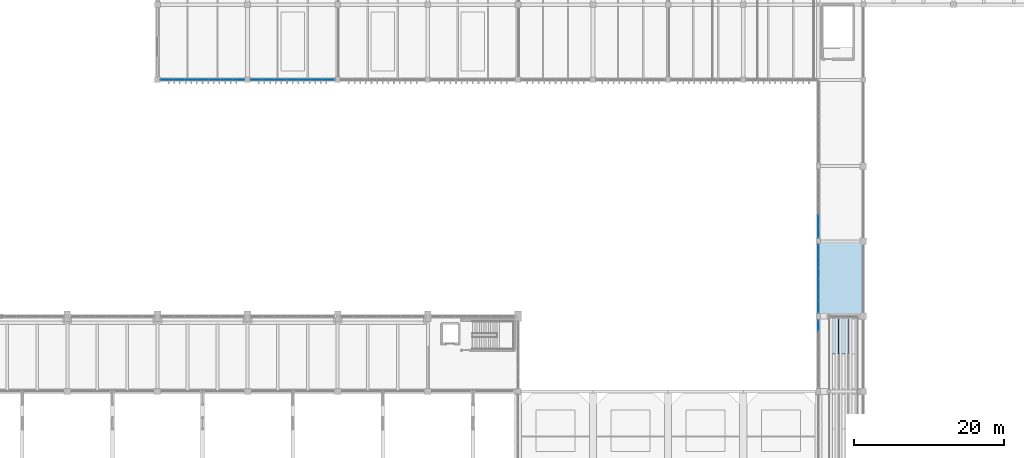
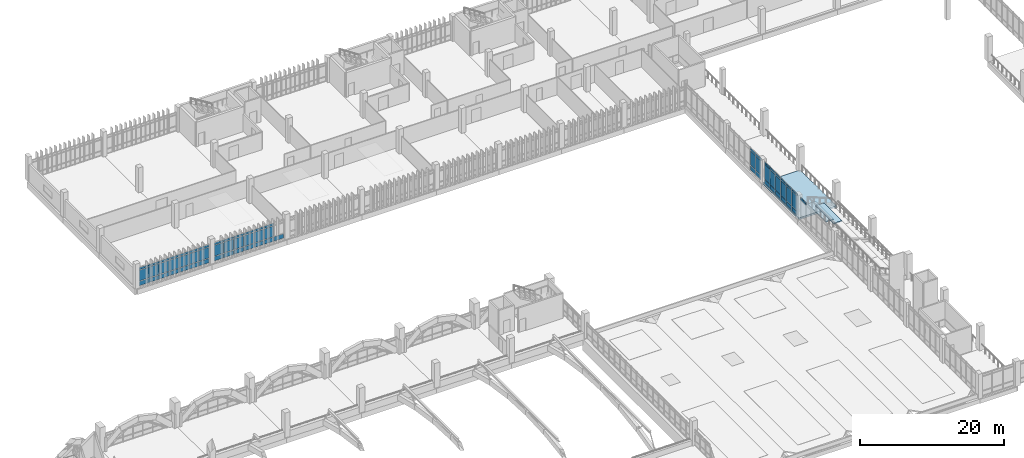
# One storey, part 130 of 161: 65 plates, 3 slabs, 5 elements without a shape of their own.
"""IFC4 building model written with IfcOpenShell, lengths in metres."""

from ifc_helpers import new_model, si_unit, direction, frame, origin, origin_2d, place, context, subcontext, project, spatial, polyline, rectangle, outline, extrude, material, layer, layer_set, type_object, element, aggregate, save


model = new_model("IFC4")

# Units and contexts
model_context = context("Model", 3, precision=1e-05, world=origin(), true_north=direction((0.0, 1.0)))
body_context = subcontext(model_context, "Body", "Model", "MODEL_VIEW")
ifc_project = project(units=[si_unit("LENGTHUNIT", "METRE"), si_unit("AREAUNIT", "SQUARE_METRE"), si_unit("VOLUMEUNIT", "CUBIC_METRE"), si_unit("PLANEANGLEUNIT", "RADIAN"), si_unit("MASSUNIT", "GRAM", prefix="KILO")], contexts=[model_context])

# Site, building, storey
site_placement = place(None, origin())
site = spatial("IfcSite", under=ifc_project, at=site_placement, CompositionType="ELEMENT")
building_placement = place(site_placement, origin())
building = spatial("IfcBuilding", under=site, at=building_placement, Name="Mersad Railyard Sports Hall", CompositionType="ELEMENT")
storey_placement = place(building_placement, frame((0.0, 0.0, 4.800048828125)))
storey = spatial("IfcBuildingStorey", under=building, at=storey_placement, Name="L01", CompositionType="ELEMENT", Elevation=4.800048828125)

# Curtain wall, plate
ifc_material_1 = material(Name="Aluminium 6063-T6", Category="aluminium")
ifc_layer_1 = layer(ifc_material_1, 0.159912109375)
ifc_layer_set_1 = layer_set([ifc_layer_1], Name="Aluminium 6063-T6")
curtain_wall_type_1 = type_object("IfcCurtainWallType", Name="ARC-CW-CW25", PredefinedType="USERDEFINED", material=ifc_layer_set_1)
curtain_wall_1_placement = place(storey_placement, origin())
curtain_wall_1 = element("IfcCurtainWall", 1, at=curtain_wall_1_placement, inside=storey, type_object=curtain_wall_type_1, Name="Curtain wall CW25-0072", ObjectType="CURTAIN WALL", PredefinedType="USERDEFINED")
ifc_material_2 = material(Name="Solar-control glass", Category="glass")
ifc_layer_2 = layer(ifc_material_2, 0.028076171875)
ifc_layer_set_2 = layer_set([ifc_layer_2], Name="Solar-control glass")
plate_type = type_object("IfcPlateType", Name="ARC-CW-PNL01", PredefinedType="CURTAIN_PANEL", material=ifc_layer_set_2)
plate_1_placement = place(storey_placement, frame((131.0, 52.27490234375, 3.4248046875), z_axis=(0.0, 0.0, 1.0), x_axis=(0.0, 1.0, 0.0)))
plate_1 = element("IfcPlate", 2, at=plate_1_placement, type_object=plate_type, Name="CW25 Glazed panel 6-3", PredefinedType="CURTAIN_PANEL", context=body_context, shape_type="SweptSolid", body=[
    extrude(rectangle(XDim=1.466064453125, YDim=0.028076171875, at=origin_2d()), origin(), (0.0, 0.0, 1.0), 0.35009765625),
])
aggregate(curtain_wall_1, [plate_1])

# Curtain wall, plates
ifc_layer_3 = layer(ifc_material_1, 0.159912109375)
ifc_layer_set_3 = layer_set([ifc_layer_3], Name="Aluminium 6063-T6")
curtain_wall_type_2 = type_object("IfcCurtainWallType", Name="ARC-CW-CW26", PredefinedType="USERDEFINED", material=ifc_layer_set_3)
curtain_wall_2_placement = place(storey_placement, origin())
curtain_wall_2 = element("IfcCurtainWall", 3, at=curtain_wall_2_placement, inside=storey, type_object=curtain_wall_type_2, Name="Curtain wall CW26-0074", ObjectType="CURTAIN WALL", PredefinedType="USERDEFINED")
plate_2_placement = place(storey_placement, frame((131.0, 54.72509765625, 0.0849609375), z_axis=(0.0, 0.0, 1.0), x_axis=(0.0, 1.0, 0.0)))
plate_2 = element("IfcPlate", 4, at=plate_2_placement, type_object=plate_type, Name="CW26 Glazed panel 1-1", PredefinedType="CURTAIN_PANEL", context=body_context, shape_type="SweptSolid", body=[
    extrude(rectangle(XDim=1.466064453125, YDim=0.028076171875, at=origin_2d()), origin(), (0.0, 0.0, 1.0), 0.719970703125),
])
plate_3_placement = place(storey_placement, frame((131.0, 54.72509765625, 0.89501953125), z_axis=(0.0, 0.0, 1.0), x_axis=(0.0, 1.0, 0.0)))
plate_3 = element("IfcPlate", 5, at=plate_3_placement, type_object=plate_type, Name="CW26 Glazed panel 1-2", PredefinedType="CURTAIN_PANEL", context=body_context, shape_type="SweptSolid", body=[
    extrude(rectangle(XDim=1.466064453125, YDim=0.028076171875, at=origin_2d()), origin(), (0.0, 0.0, 1.0), 2.469970703125),
])
plate_4_placement = place(storey_placement, frame((131.0, 54.72509765625, 3.454833984375), z_axis=(0.0, 0.0, 1.0), x_axis=(0.0, 1.0, 0.0)))
plate_4 = element("IfcPlate", 6, at=plate_4_placement, type_object=plate_type, Name="CW26 Glazed panel 1-3", PredefinedType="CURTAIN_PANEL", context=body_context, shape_type="SweptSolid", body=[
    extrude(rectangle(XDim=1.466064453125, YDim=0.028076171875, at=origin_2d()), origin(), (0.0, 0.0, 1.0), 0.35009765625),
])
plate_5_placement = place(storey_placement, frame((131.0, 56.235107421875, 0.0849609375), z_axis=(0.0, 0.0, 1.0), x_axis=(0.0, 1.0, 0.0)))
plate_5 = element("IfcPlate", 7, at=plate_5_placement, type_object=plate_type, Name="CW26 Glazed panel 2-1", PredefinedType="CURTAIN_PANEL", context=body_context, shape_type="SweptSolid", body=[
    extrude(rectangle(XDim=1.466064453125, YDim=0.028076171875, at=origin_2d()), origin(), (0.0, 0.0, 1.0), 0.719970703125),
])
plate_6_placement = place(storey_placement, frame((131.0, 56.235107421875, 0.89501953125), z_axis=(0.0, 0.0, 1.0), x_axis=(0.0, 1.0, 0.0)))
plate_6 = element("IfcPlate", 8, at=plate_6_placement, type_object=plate_type, Name="CW26 Glazed panel 2-2", PredefinedType="CURTAIN_PANEL", context=body_context, shape_type="SweptSolid", body=[
    extrude(rectangle(XDim=1.466064453125, YDim=0.028076171875, at=origin_2d()), origin(), (0.0, 0.0, 1.0), 2.469970703125),
])
plate_7_placement = place(storey_placement, frame((131.0, 56.235107421875, 3.454833984375), z_axis=(0.0, 0.0, 1.0), x_axis=(0.0, 1.0, 0.0)))
plate_7 = element("IfcPlate", 9, at=plate_7_placement, type_object=plate_type, Name="CW26 Glazed panel 2-3", PredefinedType="CURTAIN_PANEL", context=body_context, shape_type="SweptSolid", body=[
    extrude(rectangle(XDim=1.466064453125, YDim=0.028076171875, at=origin_2d()), origin(), (0.0, 0.0, 1.0), 0.35009765625),
])
plate_8_placement = place(storey_placement, frame((131.0, 57.7451171875, 0.0849609375), z_axis=(0.0, 0.0, 1.0), x_axis=(0.0, 1.0, 0.0)))
plate_8 = element("IfcPlate", 10, at=plate_8_placement, type_object=plate_type, Name="CW26 Glazed panel 3-1", PredefinedType="CURTAIN_PANEL", context=body_context, shape_type="SweptSolid", body=[
    extrude(rectangle(XDim=1.466064453125, YDim=0.028076171875, at=origin_2d()), origin(), (0.0, 0.0, 1.0), 0.719970703125),
])
plate_9_placement = place(storey_placement, frame((131.0, 57.7451171875, 0.89501953125), z_axis=(0.0, 0.0, 1.0), x_axis=(0.0, 1.0, 0.0)))
plate_9 = element("IfcPlate", 11, at=plate_9_placement, type_object=plate_type, Name="CW26 Glazed panel 3-2", PredefinedType="CURTAIN_PANEL", context=body_context, shape_type="SweptSolid", body=[
    extrude(rectangle(XDim=1.466064453125, YDim=0.028076171875, at=origin_2d()), origin(), (0.0, 0.0, 1.0), 2.469970703125),
])
plate_10_placement = place(storey_placement, frame((131.0, 57.7451171875, 3.454833984375), z_axis=(0.0, 0.0, 1.0), x_axis=(0.0, 1.0, 0.0)))
plate_10 = element("IfcPlate", 12, at=plate_10_placement, type_object=plate_type, Name="CW26 Glazed panel 3-3", PredefinedType="CURTAIN_PANEL", context=body_context, shape_type="SweptSolid", body=[
    extrude(rectangle(XDim=1.466064453125, YDim=0.028076171875, at=origin_2d()), origin(), (0.0, 0.0, 1.0), 0.35009765625),
])
plate_11_placement = place(storey_placement, frame((131.0, 59.2548828125, 0.0849609375), z_axis=(0.0, 0.0, 1.0), x_axis=(0.0, 1.0, 0.0)))
plate_11 = element("IfcPlate", 13, at=plate_11_placement, type_object=plate_type, Name="CW26 Glazed panel 4-1", PredefinedType="CURTAIN_PANEL", context=body_context, shape_type="SweptSolid", body=[
    extrude(rectangle(XDim=1.466064453125, YDim=0.028076171875, at=origin_2d()), origin(), (0.0, 0.0, 1.0), 0.719970703125),
])
plate_12_placement = place(storey_placement, frame((131.0, 59.2548828125, 0.89501953125), z_axis=(0.0, 0.0, 1.0), x_axis=(0.0, 1.0, 0.0)))
plate_12 = element("IfcPlate", 14, at=plate_12_placement, type_object=plate_type, Name="CW26 Glazed panel 4-2", PredefinedType="CURTAIN_PANEL", context=body_context, shape_type="SweptSolid", body=[
    extrude(rectangle(XDim=1.466064453125, YDim=0.028076171875, at=origin_2d()), origin(), (0.0, 0.0, 1.0), 2.469970703125),
])
plate_13_placement = place(storey_placement, frame((131.0, 59.2548828125, 3.454833984375), z_axis=(0.0, 0.0, 1.0), x_axis=(0.0, 1.0, 0.0)))
plate_13 = element("IfcPlate", 15, at=plate_13_placement, type_object=plate_type, Name="CW26 Glazed panel 4-3", PredefinedType="CURTAIN_PANEL", context=body_context, shape_type="SweptSolid", body=[
    extrude(rectangle(XDim=1.466064453125, YDim=0.028076171875, at=origin_2d()), origin(), (0.0, 0.0, 1.0), 0.35009765625),
])
plate_14_placement = place(storey_placement, frame((131.0, 60.764892578125, 0.0849609375), z_axis=(0.0, 0.0, 1.0), x_axis=(0.0, 1.0, 0.0)))
plate_14 = element("IfcPlate", 16, at=plate_14_placement, type_object=plate_type, Name="CW26 Glazed panel 5-1", PredefinedType="CURTAIN_PANEL", context=body_context, shape_type="SweptSolid", body=[
    extrude(rectangle(XDim=1.466064453125, YDim=0.028076171875, at=origin_2d()), origin(), (0.0, 0.0, 1.0), 0.719970703125),
])
plate_15_placement = place(storey_placement, frame((131.0, 60.764892578125, 0.89501953125), z_axis=(0.0, 0.0, 1.0), x_axis=(0.0, 1.0, 0.0)))
plate_15 = element("IfcPlate", 17, at=plate_15_placement, type_object=plate_type, Name="CW26 Glazed panel 5-2", PredefinedType="CURTAIN_PANEL", context=body_context, shape_type="SweptSolid", body=[
    extrude(rectangle(XDim=1.466064453125, YDim=0.028076171875, at=origin_2d()), origin(), (0.0, 0.0, 1.0), 2.469970703125),
])
plate_16_placement = place(storey_placement, frame((131.0, 60.764892578125, 3.454833984375), z_axis=(0.0, 0.0, 1.0), x_axis=(0.0, 1.0, 0.0)))
plate_16 = element("IfcPlate", 18, at=plate_16_placement, type_object=plate_type, Name="CW26 Glazed panel 5-3", PredefinedType="CURTAIN_PANEL", context=body_context, shape_type="SweptSolid", body=[
    extrude(rectangle(XDim=1.466064453125, YDim=0.028076171875, at=origin_2d()), origin(), (0.0, 0.0, 1.0), 0.35009765625),
])
plate_17_placement = place(storey_placement, frame((131.0, 62.27490234375, 0.0849609375), z_axis=(0.0, 0.0, 1.0), x_axis=(0.0, 1.0, 0.0)))
plate_17 = element("IfcPlate", 19, at=plate_17_placement, type_object=plate_type, Name="CW26 Glazed panel 6-1", PredefinedType="CURTAIN_PANEL", context=body_context, shape_type="SweptSolid", body=[
    extrude(rectangle(XDim=1.466064453125, YDim=0.028076171875, at=origin_2d()), origin(), (0.0, 0.0, 1.0), 0.719970703125),
])
plate_18_placement = place(storey_placement, frame((131.0, 62.27490234375, 0.89501953125), z_axis=(0.0, 0.0, 1.0), x_axis=(0.0, 1.0, 0.0)))
plate_18 = element("IfcPlate", 20, at=plate_18_placement, type_object=plate_type, Name="CW26 Glazed panel 6-2", PredefinedType="CURTAIN_PANEL", context=body_context, shape_type="SweptSolid", body=[
    extrude(rectangle(XDim=1.466064453125, YDim=0.028076171875, at=origin_2d()), origin(), (0.0, 0.0, 1.0), 2.469970703125),
])
plate_19_placement = place(storey_placement, frame((131.0, 62.27490234375, 3.454833984375), z_axis=(0.0, 0.0, 1.0), x_axis=(0.0, 1.0, 0.0)))
plate_19 = element("IfcPlate", 21, at=plate_19_placement, type_object=plate_type, Name="CW26 Glazed panel 6-3", PredefinedType="CURTAIN_PANEL", context=body_context, shape_type="SweptSolid", body=[
    extrude(rectangle(XDim=1.466064453125, YDim=0.028076171875, at=origin_2d()), origin(), (0.0, 0.0, 1.0), 0.35009765625),
])
aggregate(curtain_wall_2, [plate_2, plate_3, plate_4, plate_5, plate_6, plate_7, plate_8, plate_9, plate_10, plate_11, plate_12, plate_13, plate_14, plate_15, plate_16, plate_17, plate_18, plate_19])

ifc_layer_4 = layer(ifc_material_1, 0.159912109375)
ifc_layer_set_4 = layer_set([ifc_layer_4], Name="Aluminium 6063-T6")
curtain_wall_type_3 = type_object("IfcCurtainWallType", Name="ARC-CW-CW14", PredefinedType="USERDEFINED", material=ifc_layer_set_4)
curtain_wall_3_placement = place(storey_placement, origin())
curtain_wall_3 = element("IfcCurtainWall", 22, at=curtain_wall_3_placement, inside=storey, type_object=curtain_wall_type_3, Name="Curtain wall CW14-0076", ObjectType="CURTAIN WALL", PredefinedType="USERDEFINED")
plate_20_placement = place(storey_placement, frame((131.0, 64.72509765625, 0.0849609375), z_axis=(0.0, 0.0, 1.0), x_axis=(0.0, 1.0, 0.0)))
plate_20 = element("IfcPlate", 23, at=plate_20_placement, type_object=plate_type, Name="CW14 Glazed panel 1-1", PredefinedType="CURTAIN_PANEL", context=body_context, shape_type="SweptSolid", body=[
    extrude(rectangle(XDim=1.466064453125, YDim=0.028076171875, at=origin_2d()), origin(), (0.0, 0.0, 1.0), 0.719970703125),
])
plate_21_placement = place(storey_placement, frame((131.0, 64.72509765625, 0.89501953125), z_axis=(0.0, 0.0, 1.0), x_axis=(0.0, 1.0, 0.0)))
plate_21 = element("IfcPlate", 24, at=plate_21_placement, type_object=plate_type, Name="CW14 Glazed panel 1-2", PredefinedType="CURTAIN_PANEL", context=body_context, shape_type="SweptSolid", body=[
    extrude(rectangle(XDim=1.466064453125, YDim=0.028076171875, at=origin_2d()), origin(), (0.0, 0.0, 1.0), 2.409912109375),
])
plate_22_placement = place(storey_placement, frame((131.0, 64.72509765625, 3.39501953125), z_axis=(0.0, 0.0, 1.0), x_axis=(0.0, 1.0, 0.0)))
plate_22 = element("IfcPlate", 25, at=plate_22_placement, type_object=plate_type, Name="CW14 Glazed panel 1-3", PredefinedType="CURTAIN_PANEL", context=body_context, shape_type="SweptSolid", body=[
    extrude(rectangle(XDim=1.466064453125, YDim=0.028076171875, at=origin_2d()), origin(), (0.0, 0.0, 1.0), 0.35009765625),
])
plate_23_placement = place(storey_placement, frame((131.0, 66.235107421875, 0.0849609375), z_axis=(0.0, 0.0, 1.0), x_axis=(0.0, 1.0, 0.0)))
plate_23 = element("IfcPlate", 26, at=plate_23_placement, type_object=plate_type, Name="CW14 Glazed panel 2-1", PredefinedType="CURTAIN_PANEL", context=body_context, shape_type="SweptSolid", body=[
    extrude(rectangle(XDim=1.466064453125, YDim=0.028076171875, at=origin_2d()), origin(), (0.0, 0.0, 1.0), 0.719970703125),
])
plate_24_placement = place(storey_placement, frame((131.0, 66.235107421875, 0.89501953125), z_axis=(0.0, 0.0, 1.0), x_axis=(0.0, 1.0, 0.0)))
plate_24 = element("IfcPlate", 27, at=plate_24_placement, type_object=plate_type, Name="CW14 Glazed panel 2-2", PredefinedType="CURTAIN_PANEL", context=body_context, shape_type="SweptSolid", body=[
    extrude(rectangle(XDim=1.466064453125, YDim=0.028076171875, at=origin_2d()), origin(), (0.0, 0.0, 1.0), 2.409912109375),
])
plate_25_placement = place(storey_placement, frame((131.0, 66.235107421875, 3.39501953125), z_axis=(0.0, 0.0, 1.0), x_axis=(0.0, 1.0, 0.0)))
plate_25 = element("IfcPlate", 28, at=plate_25_placement, type_object=plate_type, Name="CW14 Glazed panel 2-3", PredefinedType="CURTAIN_PANEL", context=body_context, shape_type="SweptSolid", body=[
    extrude(rectangle(XDim=1.466064453125, YDim=0.028076171875, at=origin_2d()), origin(), (0.0, 0.0, 1.0), 0.35009765625),
])
aggregate(curtain_wall_3, [plate_20, plate_21, plate_22, plate_23, plate_24, plate_25])

ifc_layer_5 = layer(ifc_material_1, 0.159912109375)
ifc_layer_set_5 = layer_set([ifc_layer_5], Name="Aluminium 6063-T6")
curtain_wall_type_4 = type_object("IfcCurtainWallType", Name="ARC-CW-CW37", PredefinedType="USERDEFINED", material=ifc_layer_set_5)
curtain_wall_4_placement = place(storey_placement, origin())
curtain_wall_4 = element("IfcCurtainWall", 29, at=curtain_wall_4_placement, inside=storey, type_object=curtain_wall_type_4, Name="Curtain wall CW37-0104", ObjectType="CURTAIN WALL", PredefinedType="USERDEFINED")
plate_26_placement = place(storey_placement, frame((53.80419921875, 85.0, 0.0849609375), z_axis=(0.0, 0.0, 1.0), x_axis=(-1.0, 0.0, 0.0)))
plate_26 = element("IfcPlate", 30, at=plate_26_placement, type_object=plate_type, Name="CW37 Glazed panel 1-1", PredefinedType="CURTAIN_PANEL", context=body_context, shape_type="SweptSolid", body=[
    extrude(rectangle(XDim=1.557373046875, YDim=0.028076171875, at=origin_2d()), origin(), (0.0, 0.0, 1.0), 0.719970703125),
])
plate_27_placement = place(storey_placement, frame((53.80419921875, 85.0, 0.89501953125), z_axis=(0.0, 0.0, 1.0), x_axis=(-1.0, 0.0, 0.0)))
plate_27 = element("IfcPlate", 31, at=plate_27_placement, type_object=plate_type, Name="CW37 Glazed panel 1-2", PredefinedType="CURTAIN_PANEL", context=body_context, shape_type="SweptSolid", body=[
    extrude(rectangle(XDim=1.557373046875, YDim=0.028076171875, at=origin_2d()), origin(), (0.0, 0.0, 1.0), 1.81005859375),
])
plate_28_placement = place(storey_placement, frame((53.80419921875, 85.0, 2.794921875), z_axis=(0.0, 0.0, 1.0), x_axis=(-1.0, 0.0, 0.0)))
plate_28 = element("IfcPlate", 32, at=plate_28_placement, type_object=plate_type, Name="CW37 Glazed panel 1-3", PredefinedType="CURTAIN_PANEL", context=body_context, shape_type="SweptSolid", body=[
    extrude(rectangle(XDim=1.557373046875, YDim=0.028076171875, at=origin_2d()), origin(), (0.0, 0.0, 1.0), 0.35009765625),
])
plate_29_placement = place(storey_placement, frame((52.202880859375, 85.0, 0.0849609375), z_axis=(0.0, 0.0, 1.0), x_axis=(-1.0, 0.0, 0.0)))
plate_29 = element("IfcPlate", 33, at=plate_29_placement, type_object=plate_type, Name="CW37 Glazed panel 2-1", PredefinedType="CURTAIN_PANEL", context=body_context, shape_type="SweptSolid", body=[
    extrude(rectangle(XDim=1.557373046875, YDim=0.028076171875, at=origin_2d()), origin(), (0.0, 0.0, 1.0), 0.719970703125),
])
plate_30_placement = place(storey_placement, frame((52.202880859375, 85.0, 0.89501953125), z_axis=(0.0, 0.0, 1.0), x_axis=(-1.0, 0.0, 0.0)))
plate_30 = element("IfcPlate", 34, at=plate_30_placement, type_object=plate_type, Name="CW37 Glazed panel 2-2", PredefinedType="CURTAIN_PANEL", context=body_context, shape_type="SweptSolid", body=[
    extrude(rectangle(XDim=1.557373046875, YDim=0.028076171875, at=origin_2d()), origin(), (0.0, 0.0, 1.0), 1.81005859375),
])
plate_31_placement = place(storey_placement, frame((52.202880859375, 85.0, 2.794921875), z_axis=(0.0, 0.0, 1.0), x_axis=(-1.0, 0.0, 0.0)))
plate_31 = element("IfcPlate", 35, at=plate_31_placement, type_object=plate_type, Name="CW37 Glazed panel 2-3", PredefinedType="CURTAIN_PANEL", context=body_context, shape_type="SweptSolid", body=[
    extrude(rectangle(XDim=1.557373046875, YDim=0.028076171875, at=origin_2d()), origin(), (0.0, 0.0, 1.0), 0.35009765625),
])
plate_32_placement = place(storey_placement, frame((50.601318359375, 85.0, 0.0849609375), z_axis=(0.0, 0.0, 1.0), x_axis=(-1.0, 0.0, 0.0)))
plate_32 = element("IfcPlate", 36, at=plate_32_placement, type_object=plate_type, Name="CW37 Glazed panel 3-1", PredefinedType="CURTAIN_PANEL", context=body_context, shape_type="SweptSolid", body=[
    extrude(rectangle(XDim=1.557373046875, YDim=0.028076171875, at=origin_2d()), origin(), (0.0, 0.0, 1.0), 0.719970703125),
])
plate_33_placement = place(storey_placement, frame((50.601318359375, 85.0, 0.89501953125), z_axis=(0.0, 0.0, 1.0), x_axis=(-1.0, 0.0, 0.0)))
plate_33 = element("IfcPlate", 37, at=plate_33_placement, type_object=plate_type, Name="CW37 Glazed panel 3-2", PredefinedType="CURTAIN_PANEL", context=body_context, shape_type="SweptSolid", body=[
    extrude(rectangle(XDim=1.557373046875, YDim=0.028076171875, at=origin_2d()), origin(), (0.0, 0.0, 1.0), 1.81005859375),
])
plate_34_placement = place(storey_placement, frame((50.601318359375, 85.0, 2.794921875), z_axis=(0.0, 0.0, 1.0), x_axis=(-1.0, 0.0, 0.0)))
plate_34 = element("IfcPlate", 38, at=plate_34_placement, type_object=plate_type, Name="CW37 Glazed panel 3-3", PredefinedType="CURTAIN_PANEL", context=body_context, shape_type="SweptSolid", body=[
    extrude(rectangle(XDim=1.557373046875, YDim=0.028076171875, at=origin_2d()), origin(), (0.0, 0.0, 1.0), 0.35009765625),
])
plate_35_placement = place(storey_placement, frame((49.0, 85.0, 0.0849609375), z_axis=(0.0, 0.0, 1.0), x_axis=(-1.0, 0.0, 0.0)))
plate_35 = element("IfcPlate", 39, at=plate_35_placement, type_object=plate_type, Name="CW37 Glazed panel 4-1", PredefinedType="CURTAIN_PANEL", context=body_context, shape_type="SweptSolid", body=[
    extrude(rectangle(XDim=1.557373046875, YDim=0.028076171875, at=origin_2d()), origin(), (0.0, 0.0, 1.0), 0.719970703125),
])
plate_36_placement = place(storey_placement, frame((49.0, 85.0, 0.89501953125), z_axis=(0.0, 0.0, 1.0), x_axis=(-1.0, 0.0, 0.0)))
plate_36 = element("IfcPlate", 40, at=plate_36_placement, type_object=plate_type, Name="CW37 Glazed panel 4-2", PredefinedType="CURTAIN_PANEL", context=body_context, shape_type="SweptSolid", body=[
    extrude(rectangle(XDim=1.557373046875, YDim=0.028076171875, at=origin_2d()), origin(), (0.0, 0.0, 1.0), 1.81005859375),
])
plate_37_placement = place(storey_placement, frame((49.0, 85.0, 2.794921875), z_axis=(0.0, 0.0, 1.0), x_axis=(-1.0, 0.0, 0.0)))
plate_37 = element("IfcPlate", 41, at=plate_37_placement, type_object=plate_type, Name="CW37 Glazed panel 4-3", PredefinedType="CURTAIN_PANEL", context=body_context, shape_type="SweptSolid", body=[
    extrude(rectangle(XDim=1.557373046875, YDim=0.028076171875, at=origin_2d()), origin(), (0.0, 0.0, 1.0), 0.35009765625),
])
plate_38_placement = place(storey_placement, frame((47.398681640625, 85.0, 0.0849609375), z_axis=(0.0, 0.0, 1.0), x_axis=(-1.0, 0.0, 0.0)))
plate_38 = element("IfcPlate", 42, at=plate_38_placement, type_object=plate_type, Name="CW37 Glazed panel 5-1", PredefinedType="CURTAIN_PANEL", context=body_context, shape_type="SweptSolid", body=[
    extrude(rectangle(XDim=1.557373046875, YDim=0.028076171875, at=origin_2d()), origin(), (0.0, 0.0, 1.0), 0.719970703125),
])
plate_39_placement = place(storey_placement, frame((47.398681640625, 85.0, 0.89501953125), z_axis=(0.0, 0.0, 1.0), x_axis=(-1.0, 0.0, 0.0)))
plate_39 = element("IfcPlate", 43, at=plate_39_placement, type_object=plate_type, Name="CW37 Glazed panel 5-2", PredefinedType="CURTAIN_PANEL", context=body_context, shape_type="SweptSolid", body=[
    extrude(rectangle(XDim=1.557373046875, YDim=0.028076171875, at=origin_2d()), origin(), (0.0, 0.0, 1.0), 1.81005859375),
])
plate_40_placement = place(storey_placement, frame((47.398681640625, 85.0, 2.794921875), z_axis=(0.0, 0.0, 1.0), x_axis=(-1.0, 0.0, 0.0)))
plate_40 = element("IfcPlate", 44, at=plate_40_placement, type_object=plate_type, Name="CW37 Glazed panel 5-3", PredefinedType="CURTAIN_PANEL", context=body_context, shape_type="SweptSolid", body=[
    extrude(rectangle(XDim=1.557373046875, YDim=0.028076171875, at=origin_2d()), origin(), (0.0, 0.0, 1.0), 0.35009765625),
])
plate_41_placement = place(storey_placement, frame((45.797119140625, 85.0, 0.0849609375), z_axis=(0.0, 0.0, 1.0), x_axis=(-1.0, 0.0, 0.0)))
plate_41 = element("IfcPlate", 45, at=plate_41_placement, type_object=plate_type, Name="CW37 Glazed panel 6-1", PredefinedType="CURTAIN_PANEL", context=body_context, shape_type="SweptSolid", body=[
    extrude(rectangle(XDim=1.557373046875, YDim=0.028076171875, at=origin_2d()), origin(), (0.0, 0.0, 1.0), 0.719970703125),
])
plate_42_placement = place(storey_placement, frame((45.797119140625, 85.0, 0.89501953125), z_axis=(0.0, 0.0, 1.0), x_axis=(-1.0, 0.0, 0.0)))
plate_42 = element("IfcPlate", 46, at=plate_42_placement, type_object=plate_type, Name="CW37 Glazed panel 6-2", PredefinedType="CURTAIN_PANEL", context=body_context, shape_type="SweptSolid", body=[
    extrude(rectangle(XDim=1.557373046875, YDim=0.028076171875, at=origin_2d()), origin(), (0.0, 0.0, 1.0), 1.81005859375),
])
plate_43_placement = place(storey_placement, frame((45.797119140625, 85.0, 2.794921875), z_axis=(0.0, 0.0, 1.0), x_axis=(-1.0, 0.0, 0.0)))
plate_43 = element("IfcPlate", 47, at=plate_43_placement, type_object=plate_type, Name="CW37 Glazed panel 6-3", PredefinedType="CURTAIN_PANEL", context=body_context, shape_type="SweptSolid", body=[
    extrude(rectangle(XDim=1.557373046875, YDim=0.028076171875, at=origin_2d()), origin(), (0.0, 0.0, 1.0), 0.35009765625),
])
plate_44_placement = place(storey_placement, frame((44.19580078125, 85.0, 0.0849609375), z_axis=(0.0, 0.0, 1.0), x_axis=(-1.0, 0.0, 0.0)))
plate_44 = element("IfcPlate", 48, at=plate_44_placement, type_object=plate_type, Name="CW37 Glazed panel 7-1", PredefinedType="CURTAIN_PANEL", context=body_context, shape_type="SweptSolid", body=[
    extrude(rectangle(XDim=1.557373046875, YDim=0.028076171875, at=origin_2d()), origin(), (0.0, 0.0, 1.0), 0.719970703125),
])
plate_45_placement = place(storey_placement, frame((44.19580078125, 85.0, 0.89501953125), z_axis=(0.0, 0.0, 1.0), x_axis=(-1.0, 0.0, 0.0)))
plate_45 = element("IfcPlate", 49, at=plate_45_placement, type_object=plate_type, Name="CW37 Glazed panel 7-2", PredefinedType="CURTAIN_PANEL", context=body_context, shape_type="SweptSolid", body=[
    extrude(rectangle(XDim=1.557373046875, YDim=0.028076171875, at=origin_2d()), origin(), (0.0, 0.0, 1.0), 1.81005859375),
])
plate_46_placement = place(storey_placement, frame((44.19580078125, 85.0, 2.794921875), z_axis=(0.0, 0.0, 1.0), x_axis=(-1.0, 0.0, 0.0)))
plate_46 = element("IfcPlate", 50, at=plate_46_placement, type_object=plate_type, Name="CW37 Glazed panel 7-3", PredefinedType="CURTAIN_PANEL", context=body_context, shape_type="SweptSolid", body=[
    extrude(rectangle(XDim=1.557373046875, YDim=0.028076171875, at=origin_2d()), origin(), (0.0, 0.0, 1.0), 0.35009765625),
])
aggregate(curtain_wall_4, [plate_26, plate_27, plate_28, plate_29, plate_30, plate_31, plate_32, plate_33, plate_34, plate_35, plate_36, plate_37, plate_38, plate_39, plate_40, plate_41, plate_42, plate_43, plate_44, plate_45, plate_46])

curtain_wall_5_placement = place(storey_placement, origin())
curtain_wall_5 = element("IfcCurtainWall", 51, at=curtain_wall_5_placement, inside=storey, type_object=curtain_wall_type_4, Name="Curtain wall CW37-0105", ObjectType="CURTAIN WALL", PredefinedType="USERDEFINED")
plate_47_placement = place(storey_placement, frame((65.80419921875, 85.0, 0.0849609375), z_axis=(0.0, 0.0, 1.0), x_axis=(-1.0, 0.0, 0.0)))
plate_47 = element("IfcPlate", 52, at=plate_47_placement, type_object=plate_type, Name="CW37 Glazed panel 1-1", PredefinedType="CURTAIN_PANEL", context=body_context, shape_type="SweptSolid", body=[
    extrude(rectangle(XDim=1.557373046875, YDim=0.028076171875, at=origin_2d()), origin(), (0.0, 0.0, 1.0), 0.719970703125),
])
plate_48_placement = place(storey_placement, frame((64.202880859375, 85.0, 0.0849609375), z_axis=(0.0, 0.0, 1.0), x_axis=(-1.0, 0.0, 0.0)))
plate_48 = element("IfcPlate", 53, at=plate_48_placement, type_object=plate_type, Name="CW37 Glazed panel 2-1", PredefinedType="CURTAIN_PANEL", context=body_context, shape_type="SweptSolid", body=[
    extrude(rectangle(XDim=1.557373046875, YDim=0.028076171875, at=origin_2d()), origin(), (0.0, 0.0, 1.0), 0.719970703125),
])
plate_49_placement = place(storey_placement, frame((64.202880859375, 85.0, 0.89501953125), z_axis=(0.0, 0.0, 1.0), x_axis=(-1.0, 0.0, 0.0)))
plate_49 = element("IfcPlate", 54, at=plate_49_placement, type_object=plate_type, Name="CW37 Glazed panel 2-2", PredefinedType="CURTAIN_PANEL", context=body_context, shape_type="SweptSolid", body=[
    extrude(rectangle(XDim=1.557373046875, YDim=0.028076171875, at=origin_2d()), origin(), (0.0, 0.0, 1.0), 1.81005859375),
])
plate_50_placement = place(storey_placement, frame((64.202880859375, 85.0, 2.794921875), z_axis=(0.0, 0.0, 1.0), x_axis=(-1.0, 0.0, 0.0)))
plate_50 = element("IfcPlate", 55, at=plate_50_placement, type_object=plate_type, Name="CW37 Glazed panel 2-3", PredefinedType="CURTAIN_PANEL", context=body_context, shape_type="SweptSolid", body=[
    extrude(rectangle(XDim=1.557373046875, YDim=0.028076171875, at=origin_2d()), origin(), (0.0, 0.0, 1.0), 0.35009765625),
])
plate_51_placement = place(storey_placement, frame((62.601318359375, 85.0, 0.0849609375), z_axis=(0.0, 0.0, 1.0), x_axis=(-1.0, 0.0, 0.0)))
plate_51 = element("IfcPlate", 56, at=plate_51_placement, type_object=plate_type, Name="CW37 Glazed panel 3-1", PredefinedType="CURTAIN_PANEL", context=body_context, shape_type="SweptSolid", body=[
    extrude(rectangle(XDim=1.557373046875, YDim=0.028076171875, at=origin_2d()), origin(), (0.0, 0.0, 1.0), 0.719970703125),
])
plate_52_placement = place(storey_placement, frame((62.601318359375, 85.0, 0.89501953125), z_axis=(0.0, 0.0, 1.0), x_axis=(-1.0, 0.0, 0.0)))
plate_52 = element("IfcPlate", 57, at=plate_52_placement, type_object=plate_type, Name="CW37 Glazed panel 3-2", PredefinedType="CURTAIN_PANEL", context=body_context, shape_type="SweptSolid", body=[
    extrude(rectangle(XDim=1.557373046875, YDim=0.028076171875, at=origin_2d()), origin(), (0.0, 0.0, 1.0), 1.81005859375),
])
plate_53_placement = place(storey_placement, frame((62.601318359375, 85.0, 2.794921875), z_axis=(0.0, 0.0, 1.0), x_axis=(-1.0, 0.0, 0.0)))
plate_53 = element("IfcPlate", 58, at=plate_53_placement, type_object=plate_type, Name="CW37 Glazed panel 3-3", PredefinedType="CURTAIN_PANEL", context=body_context, shape_type="SweptSolid", body=[
    extrude(rectangle(XDim=1.557373046875, YDim=0.028076171875, at=origin_2d()), origin(), (0.0, 0.0, 1.0), 0.35009765625),
])
plate_54_placement = place(storey_placement, frame((61.0, 85.0, 0.0849609375), z_axis=(0.0, 0.0, 1.0), x_axis=(-1.0, 0.0, 0.0)))
plate_54 = element("IfcPlate", 59, at=plate_54_placement, type_object=plate_type, Name="CW37 Glazed panel 4-1", PredefinedType="CURTAIN_PANEL", context=body_context, shape_type="SweptSolid", body=[
    extrude(rectangle(XDim=1.557373046875, YDim=0.028076171875, at=origin_2d()), origin(), (0.0, 0.0, 1.0), 0.719970703125),
])
plate_55_placement = place(storey_placement, frame((61.0, 85.0, 0.89501953125), z_axis=(0.0, 0.0, 1.0), x_axis=(-1.0, 0.0, 0.0)))
plate_55 = element("IfcPlate", 60, at=plate_55_placement, type_object=plate_type, Name="CW37 Glazed panel 4-2", PredefinedType="CURTAIN_PANEL", context=body_context, shape_type="SweptSolid", body=[
    extrude(rectangle(XDim=1.557373046875, YDim=0.028076171875, at=origin_2d()), origin(), (0.0, 0.0, 1.0), 1.81005859375),
])
plate_56_placement = place(storey_placement, frame((61.0, 85.0, 2.794921875), z_axis=(0.0, 0.0, 1.0), x_axis=(-1.0, 0.0, 0.0)))
plate_56 = element("IfcPlate", 61, at=plate_56_placement, type_object=plate_type, Name="CW37 Glazed panel 4-3", PredefinedType="CURTAIN_PANEL", context=body_context, shape_type="SweptSolid", body=[
    extrude(rectangle(XDim=1.557373046875, YDim=0.028076171875, at=origin_2d()), origin(), (0.0, 0.0, 1.0), 0.35009765625),
])
plate_57_placement = place(storey_placement, frame((59.398681640625, 85.0, 0.0849609375), z_axis=(0.0, 0.0, 1.0), x_axis=(-1.0, 0.0, 0.0)))
plate_57 = element("IfcPlate", 62, at=plate_57_placement, type_object=plate_type, Name="CW37 Glazed panel 5-1", PredefinedType="CURTAIN_PANEL", context=body_context, shape_type="SweptSolid", body=[
    extrude(rectangle(XDim=1.557373046875, YDim=0.028076171875, at=origin_2d()), origin(), (0.0, 0.0, 1.0), 0.719970703125),
])
plate_58_placement = place(storey_placement, frame((59.398681640625, 85.0, 0.89501953125), z_axis=(0.0, 0.0, 1.0), x_axis=(-1.0, 0.0, 0.0)))
plate_58 = element("IfcPlate", 63, at=plate_58_placement, type_object=plate_type, Name="CW37 Glazed panel 5-2", PredefinedType="CURTAIN_PANEL", context=body_context, shape_type="SweptSolid", body=[
    extrude(rectangle(XDim=1.557373046875, YDim=0.028076171875, at=origin_2d()), origin(), (0.0, 0.0, 1.0), 1.81005859375),
])
plate_59_placement = place(storey_placement, frame((59.398681640625, 85.0, 2.794921875), z_axis=(0.0, 0.0, 1.0), x_axis=(-1.0, 0.0, 0.0)))
plate_59 = element("IfcPlate", 64, at=plate_59_placement, type_object=plate_type, Name="CW37 Glazed panel 5-3", PredefinedType="CURTAIN_PANEL", context=body_context, shape_type="SweptSolid", body=[
    extrude(rectangle(XDim=1.557373046875, YDim=0.028076171875, at=origin_2d()), origin(), (0.0, 0.0, 1.0), 0.35009765625),
])
plate_60_placement = place(storey_placement, frame((57.797119140625, 85.0, 0.0849609375), z_axis=(0.0, 0.0, 1.0), x_axis=(-1.0, 0.0, 0.0)))
plate_60 = element("IfcPlate", 65, at=plate_60_placement, type_object=plate_type, Name="CW37 Glazed panel 6-1", PredefinedType="CURTAIN_PANEL", context=body_context, shape_type="SweptSolid", body=[
    extrude(rectangle(XDim=1.557373046875, YDim=0.028076171875, at=origin_2d()), origin(), (0.0, 0.0, 1.0), 0.719970703125),
])
plate_61_placement = place(storey_placement, frame((57.797119140625, 85.0, 0.89501953125), z_axis=(0.0, 0.0, 1.0), x_axis=(-1.0, 0.0, 0.0)))
plate_61 = element("IfcPlate", 66, at=plate_61_placement, type_object=plate_type, Name="CW37 Glazed panel 6-2", PredefinedType="CURTAIN_PANEL", context=body_context, shape_type="SweptSolid", body=[
    extrude(rectangle(XDim=1.557373046875, YDim=0.028076171875, at=origin_2d()), origin(), (0.0, 0.0, 1.0), 1.81005859375),
])
plate_62_placement = place(storey_placement, frame((57.797119140625, 85.0, 2.794921875), z_axis=(0.0, 0.0, 1.0), x_axis=(-1.0, 0.0, 0.0)))
plate_62 = element("IfcPlate", 67, at=plate_62_placement, type_object=plate_type, Name="CW37 Glazed panel 6-3", PredefinedType="CURTAIN_PANEL", context=body_context, shape_type="SweptSolid", body=[
    extrude(rectangle(XDim=1.557373046875, YDim=0.028076171875, at=origin_2d()), origin(), (0.0, 0.0, 1.0), 0.35009765625),
])
plate_63_placement = place(storey_placement, frame((56.19580078125, 85.0, 0.0849609375), z_axis=(0.0, 0.0, 1.0), x_axis=(-1.0, 0.0, 0.0)))
plate_63 = element("IfcPlate", 68, at=plate_63_placement, type_object=plate_type, Name="CW37 Glazed panel 7-1", PredefinedType="CURTAIN_PANEL", context=body_context, shape_type="SweptSolid", body=[
    extrude(rectangle(XDim=1.557373046875, YDim=0.028076171875, at=origin_2d()), origin(), (0.0, 0.0, 1.0), 0.719970703125),
])
plate_64_placement = place(storey_placement, frame((56.19580078125, 85.0, 0.89501953125), z_axis=(0.0, 0.0, 1.0), x_axis=(-1.0, 0.0, 0.0)))
plate_64 = element("IfcPlate", 69, at=plate_64_placement, type_object=plate_type, Name="CW37 Glazed panel 7-2", PredefinedType="CURTAIN_PANEL", context=body_context, shape_type="SweptSolid", body=[
    extrude(rectangle(XDim=1.557373046875, YDim=0.028076171875, at=origin_2d()), origin(), (0.0, 0.0, 1.0), 1.81005859375),
])
plate_65_placement = place(storey_placement, frame((56.19580078125, 85.0, 2.794921875), z_axis=(0.0, 0.0, 1.0), x_axis=(-1.0, 0.0, 0.0)))
plate_65 = element("IfcPlate", 70, at=plate_65_placement, type_object=plate_type, Name="CW37 Glazed panel 7-3", PredefinedType="CURTAIN_PANEL", context=body_context, shape_type="SweptSolid", body=[
    extrude(rectangle(XDim=1.557373046875, YDim=0.028076171875, at=origin_2d()), origin(), (0.0, 0.0, 1.0), 0.35009765625),
])
aggregate(curtain_wall_5, [plate_47, plate_48, plate_49, plate_50, plate_51, plate_52, plate_53, plate_54, plate_55, plate_56, plate_57, plate_58, plate_59, plate_60, plate_61, plate_62, plate_63, plate_64, plate_65])

# Slabs
ifc_material_3 = material(Name="Concrete C40/50", Category="concrete")
ifc_layer_6 = layer(ifc_material_3, 0.280029296875)
ifc_layer_set_6 = layer_set([ifc_layer_6], Name="Concrete C40/50")
slab_type_1 = type_object("IfcSlabType", Name="STR-SL-FL02", PredefinedType="FLOOR", material=ifc_layer_set_6)
slab_1_placement = place(storey_placement, frame((0.0, 0.0, -0.280029296875)))
element("IfcSlab", 71, at=slab_1_placement, inside=storey, type_object=slab_type_1, Name="Slab SL02-0065", PredefinedType="FLOOR", context=body_context, shape_type="SweptSolid", body=[
    extrude(outline(polyline([(131.0, 53.5), (137.0, 53.5), (137.0, 63.5), (131.0, 63.5), (131.0, 53.5)])), origin(), (0.0, 0.0, 1.0), 0.280029296875),
])
ifc_material_4 = material(Name="Precast concrete C45/55", Category="concrete")
ifc_layer_7 = layer(ifc_material_4, 0.159912109375)
ifc_layer_set_7 = layer_set([ifc_layer_7], Name="Precast concrete C45/55")
slab_type_2 = type_object("IfcSlabType", Name="STR-SL-ST01", PredefinedType="USERDEFINED", material=ifc_layer_set_7)
slab_2_placement = place(storey_placement, frame((0.0, 0.0, 1.0400390625)))
element("IfcSlab", 72, at=slab_2_placement, inside=storey, type_object=slab_type_2, Name="Stand upper tier west step 23", ObjectType="SEATING TIER", PredefinedType="USERDEFINED", context=body_context, shape_type="SweptSolid", body=[
    extrude(outline(polyline([(133.699951171875, 48.5), (135.0, 48.5), (135.0, 53.5), (133.699951171875, 53.5), (133.699951171875, 48.5)])), origin(), (0.0, 0.0, 1.0), 0.159912109375),
])
slab_3_placement = place(storey_placement, frame((0.0, 0.0, 1.7900390625)))
element("IfcSlab", 73, at=slab_3_placement, inside=storey, type_object=slab_type_2, Name="Stand upper tier west step 24", ObjectType="SEATING TIER", PredefinedType="USERDEFINED", context=body_context, shape_type="SweptSolid", body=[
    extrude(outline(polyline([(132.39990234375, 48.5), (133.699951171875, 48.5), (133.699951171875, 53.5), (132.39990234375, 53.5), (132.39990234375, 48.5)])), origin(), (0.0, 0.0, 1.0), 0.159912109375),
])

save(model, "model.ifc")
